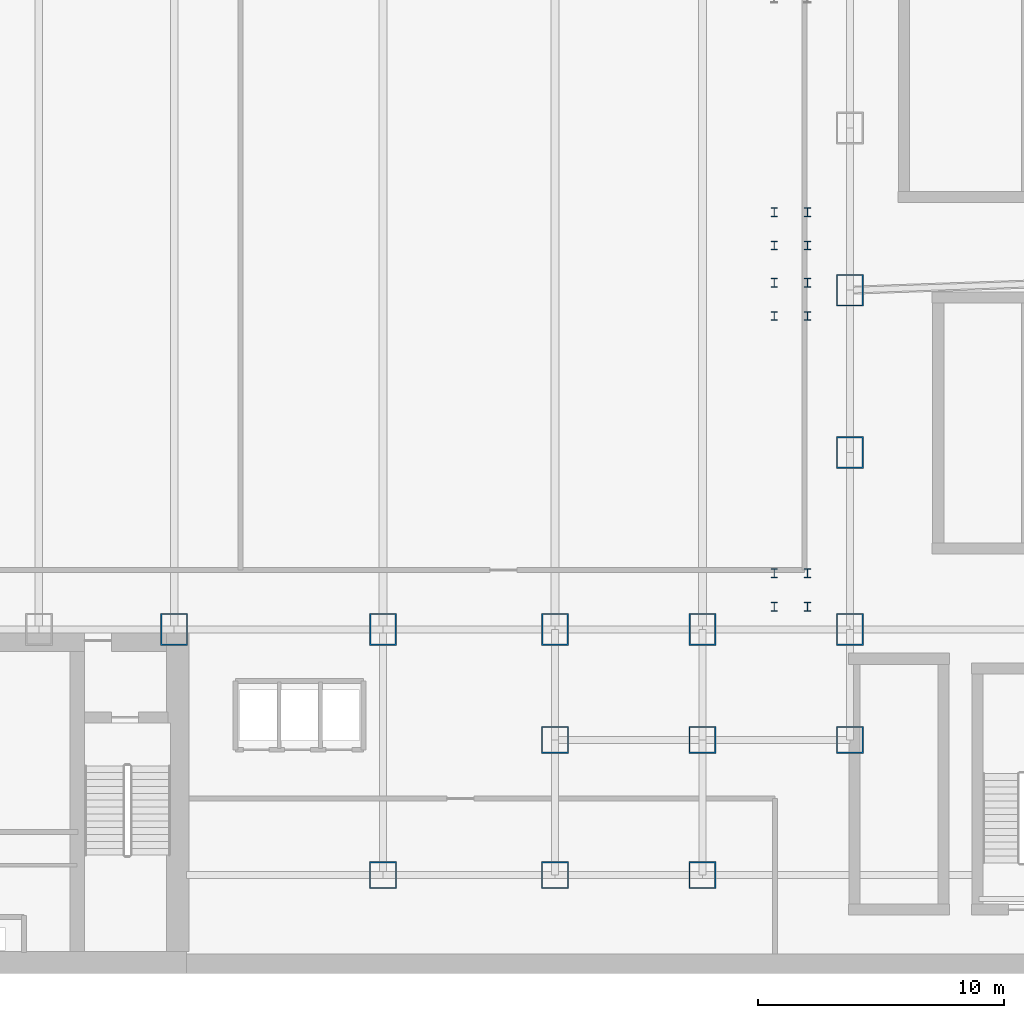
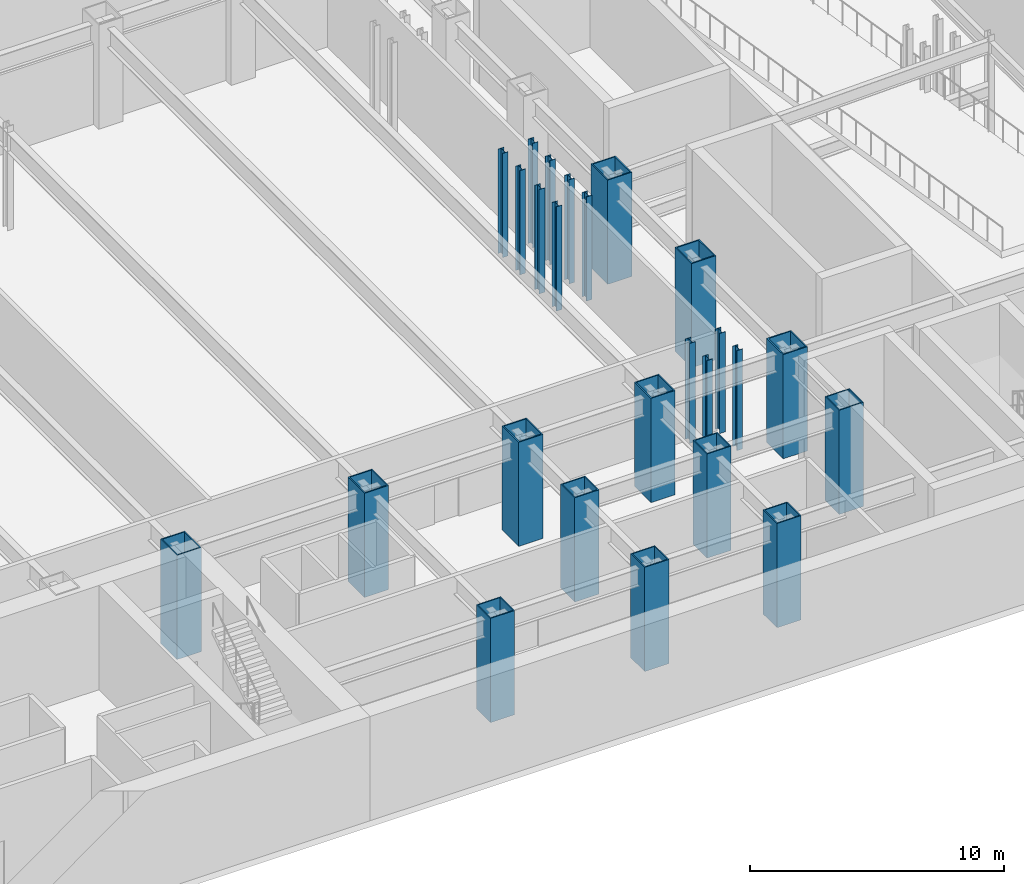
# One storey, part 2 of 16: 25 columns.
"""IFC4 building model written with IfcOpenShell, lengths in metres."""

from ifc_helpers import new_model, si_unit, derived_unit, direction, frame, origin, origin_2d, place, context, subcontext, project, spatial, hollow_rectangle, i_section, extrude, source, transform, mapped, material, material_profile, profile_set, type_object, element, save


model = new_model("IFC4")

# Units and contexts
model_context = context("Model", 3, precision=1e-05, world=origin(), true_north=direction((0.0, 1.0)))
body_context = subcontext(model_context, "Body", "Model", "MODEL_VIEW")
ifc_project = project(units=[si_unit("LENGTHUNIT", "METRE"), si_unit("AREAUNIT", "SQUARE_METRE"), si_unit("VOLUMEUNIT", "CUBIC_METRE"), si_unit("PLANEANGLEUNIT", "RADIAN"), si_unit("MASSUNIT", "GRAM", prefix="KILO"), derived_unit("THERMALTRANSMITTANCEUNIT", [(si_unit("POWERUNIT", "WATT"), 1), (si_unit("LENGTHUNIT", "METRE"), -2), (si_unit("THERMODYNAMICTEMPERATUREUNIT", "KELVIN"), -1)])], contexts=[model_context])

# Site, building, storey
site_placement = place(None, origin())
site = spatial("IfcSite", under=ifc_project, at=site_placement, CompositionType="ELEMENT")
building_placement = place(site_placement, origin())
building = spatial("IfcBuilding", under=site, at=building_placement, Name="Skarnbrae Concourse Arena and Tower", CompositionType="ELEMENT")
storey_placement = place(building_placement, frame((0.0, 0.0, -5.0)))
storey = spatial("IfcBuildingStorey", under=building, at=storey_placement, Name="B01", CompositionType="ELEMENT", Elevation=-5.0)

# Columns
ifc_material = material(Name="Steel CSA G40.21 350W", Category="steel")
ifc_material_profile_1 = material_profile(ifc_material, hollow_rectangle(XDim=1.10009765625, YDim=1.10009765625, WallThickness=0.050048828125, at=origin_2d()), Name="BOX1100X1100X50")
ifc_profile_set_1 = profile_set([ifc_material_profile_1], Name="Steel CSA G40.21 350W")
column_type_1 = type_object("IfcColumnType", Name="COL-MEGA-BOX1100", PredefinedType="PILASTER", material=ifc_profile_set_1)
shared_shape_1 = source(origin(), body_context, "Body", "SweptSolid", [
    extrude(hollow_rectangle(XDim=1.10009765625, YDim=1.10009765625, WallThickness=0.050048828125, at=origin_2d()), origin(), (0.0, 0.0, 1.0), 5.0),
])
for number, where, z_axis, x_axis, name in (
    (1, (61.0, 9.5, 0.0), (0.0, 0.0, 1.0), (1.0, 0.0, 0.0), "B01 Podium mega-column MC-E0"),
    (2, (49.0, 9.5, 0.0), (0.0, 0.0, 1.0), (1.0, 0.0, 0.0), "B01 Podium mega-column PC-SE8"),
    (3, (55.0, 9.5, 0.0), (0.0, 0.0, 1.0), (1.0, 0.0, 0.0), "B01 Podium mega-column PC-SE9"),
    (4, (42.0, 4.0, 0.0), (0.0, 0.0, 1.0), (1.0, 0.0, 0.0), "B01 Podium mega-column PC-7B"),
    (5, (49.0, 4.0, 0.0), (0.0, 0.0, 1.0), (1.0, 0.0, 0.0), "B01 Podium mega-column PC-8B"),
    (6, (55.0, 4.0, 0.0), (0.0, 0.0, 1.0), (1.0, 0.0, 0.0), "B01 Podium mega-column PC-9B"),
):
    element("IfcColumn", number, at=place(storey_placement, frame(where, z_axis=z_axis, x_axis=x_axis)), inside=storey, type_object=column_type_1, Name=name, PredefinedType="PILASTER", context=body_context, shape_type="MappedRepresentation", body=[
        mapped(shared_shape_1, transform((0.0, 0.0, 0.0))),
    ])
ifc_material_profile_2 = material_profile(ifc_material, hollow_rectangle(XDim=1.10009765625, YDim=1.300048828125, WallThickness=0.054931640625, at=origin_2d()), Name="BOX1300X1100X55")
ifc_profile_set_2 = profile_set([ifc_material_profile_2], Name="Steel CSA G40.21 350W")
column_type_2 = type_object("IfcColumnType", Name="COL-MEGA-BOX1300", PredefinedType="PILASTER", material=ifc_profile_set_2)
shared_shape_2 = source(origin(), body_context, "Body", "SweptSolid", [
    extrude(hollow_rectangle(XDim=1.10009765625, YDim=1.300048828125, WallThickness=0.054931640625, at=origin_2d()), origin(), (0.0, 0.0, 1.0), 5.0),
])
for number, where, z_axis, x_axis, name in (
    (7, (33.5, 14.0, 0.0), (0.0, 0.0, 1.0), (1.0, 0.0, 0.0), "B01 Podium mega-column MC-S6"),
    (8, (42.0, 14.0, 0.0), (0.0, 0.0, 1.0), (1.0, 0.0, 0.0), "B01 Podium mega-column MC-S7"),
    (9, (49.0, 14.0, 0.0), (0.0, 0.0, 1.0), (1.0, 0.0, 0.0), "B01 Podium mega-column MC-S8"),
    (10, (55.0, 14.0, 0.0), (0.0, 0.0, 1.0), (1.0, 0.0, 0.0), "B01 Podium mega-column MC-S9"),
    (11, (61.0, 14.0, 0.0), (0.0, 0.0, 1.0), (1.0, 0.0, 0.0), "B01 Podium mega-column MC-S10"),
    (12, (61.0, 21.199951171875, 0.0), (0.0, 0.0, 1.0), (1.0, 0.0, 0.0), "B01 Podium mega-column MC-E1"),
    (13, (61.0, 27.800048828125, 0.0), (0.0, 0.0, 1.0), (1.0, 0.0, 0.0), "B01 Podium mega-column MC-E2"),
):
    element("IfcColumn", number, at=place(storey_placement, frame(where, z_axis=z_axis, x_axis=x_axis)), inside=storey, type_object=column_type_2, Name=name, PredefinedType="PILASTER", context=body_context, shape_type="MappedRepresentation", body=[
        mapped(shared_shape_2, transform((0.0, 0.0, 0.0))),
    ])
ifc_material_profile_3 = material_profile(ifc_material, i_section(OverallWidth=0.257080078125, OverallDepth=0.363037109375, WebThickness=0.012939453125, FlangeThickness=0.021728515625, at=origin_2d()), Name="W360X122")
ifc_profile_set_3 = profile_set([ifc_material_profile_3], Name="Steel CSA G40.21 350W")
column_type_3 = type_object("IfcColumnType", Name="COL-POD-W360X122", PredefinedType="COLUMN", material=ifc_profile_set_3)
shared_shape_3 = source(origin(), body_context, "Body", "SweptSolid", [
    extrude(i_section(OverallWidth=0.257080078125, OverallDepth=0.363037109375, WebThickness=0.012939453125, FlangeThickness=0.021728515625, at=origin_2d()), origin(), (0.0, 0.0, 1.0), 5.0),
])
for number, where, z_axis, x_axis, name in (
    (14, (57.919921875, 26.75, 0.0), (0.0, 0.0, 1.0), (1.0, 0.0, 0.0), "B01 Concourse stair ST-CONC-3-L00 TOP post 11"),
    (15, (57.919921875, 28.110107421875, 0.0), (0.0, 0.0, 1.0), (1.0, 0.0, 0.0), "B01 Concourse stair ST-CONC-3-L00 TOP post 12"),
    (16, (59.280029296875, 26.75, 0.0), (0.0, 0.0, 1.0), (1.0, 0.0, 0.0), "B01 Concourse stair ST-CONC-3-L00 TOP post 21"),
    (17, (59.280029296875, 28.110107421875, 0.0), (0.0, 0.0, 1.0), (1.0, 0.0, 0.0), "B01 Concourse stair ST-CONC-3-L00 TOP post 22"),
    (18, (57.919921875, 29.6201171875, 0.0), (0.0, 0.0, 1.0), (1.0, 0.0, 0.0), "B01 Concourse stair ST-CONC-3-L01 BOT post 11"),
    (19, (57.919921875, 30.97998046875, 0.0), (0.0, 0.0, 1.0), (1.0, 0.0, 0.0), "B01 Concourse stair ST-CONC-3-L01 BOT post 12"),
    (20, (59.280029296875, 29.6201171875, 0.0), (0.0, 0.0, 1.0), (1.0, 0.0, 0.0), "B01 Concourse stair ST-CONC-3-L01 BOT post 21"),
    (21, (59.280029296875, 30.97998046875, 0.0), (0.0, 0.0, 1.0), (1.0, 0.0, 0.0), "B01 Concourse stair ST-CONC-3-L01 BOT post 22"),
):
    element("IfcColumn", number, at=place(storey_placement, frame(where, z_axis=z_axis, x_axis=x_axis)), inside=storey, type_object=column_type_3, Name=name, PredefinedType="COLUMN", context=body_context, shape_type="MappedRepresentation", body=[
        mapped(shared_shape_3, transform((0.0, 0.0, 0.0))),
    ])
shared_shape_4 = source(origin(), body_context, "Body", "SweptSolid", [
    extrude(i_section(OverallWidth=0.257080078125, OverallDepth=0.363037109375, WebThickness=0.012939453125, FlangeThickness=0.021728515625, at=origin_2d()), origin(), (0.0, 0.0, 1.0), 4.800048828125),
])
for number, where, z_axis, x_axis, name in (
    (22, (57.919921875, 14.919921875, 0.0), (0.0, 0.0, 1.0), (1.0, 0.0, 0.0), "B01 Concourse stair ST-CONC-3-L00 BOT post 11"),
    (23, (57.919921875, 16.280029296875, 0.0), (0.0, 0.0, 1.0), (1.0, 0.0, 0.0), "B01 Concourse stair ST-CONC-3-L00 BOT post 12"),
    (24, (59.280029296875, 14.919921875, 0.0), (0.0, 0.0, 1.0), (1.0, 0.0, 0.0), "B01 Concourse stair ST-CONC-3-L00 BOT post 21"),
    (25, (59.280029296875, 16.280029296875, 0.0), (0.0, 0.0, 1.0), (1.0, 0.0, 0.0), "B01 Concourse stair ST-CONC-3-L00 BOT post 22"),
):
    element("IfcColumn", number, at=place(storey_placement, frame(where, z_axis=z_axis, x_axis=x_axis)), inside=storey, type_object=column_type_3, Name=name, PredefinedType="COLUMN", context=body_context, shape_type="MappedRepresentation", body=[
        mapped(shared_shape_4, transform((0.0, 0.0, 0.0))),
    ])

save(model, "model.ifc")
